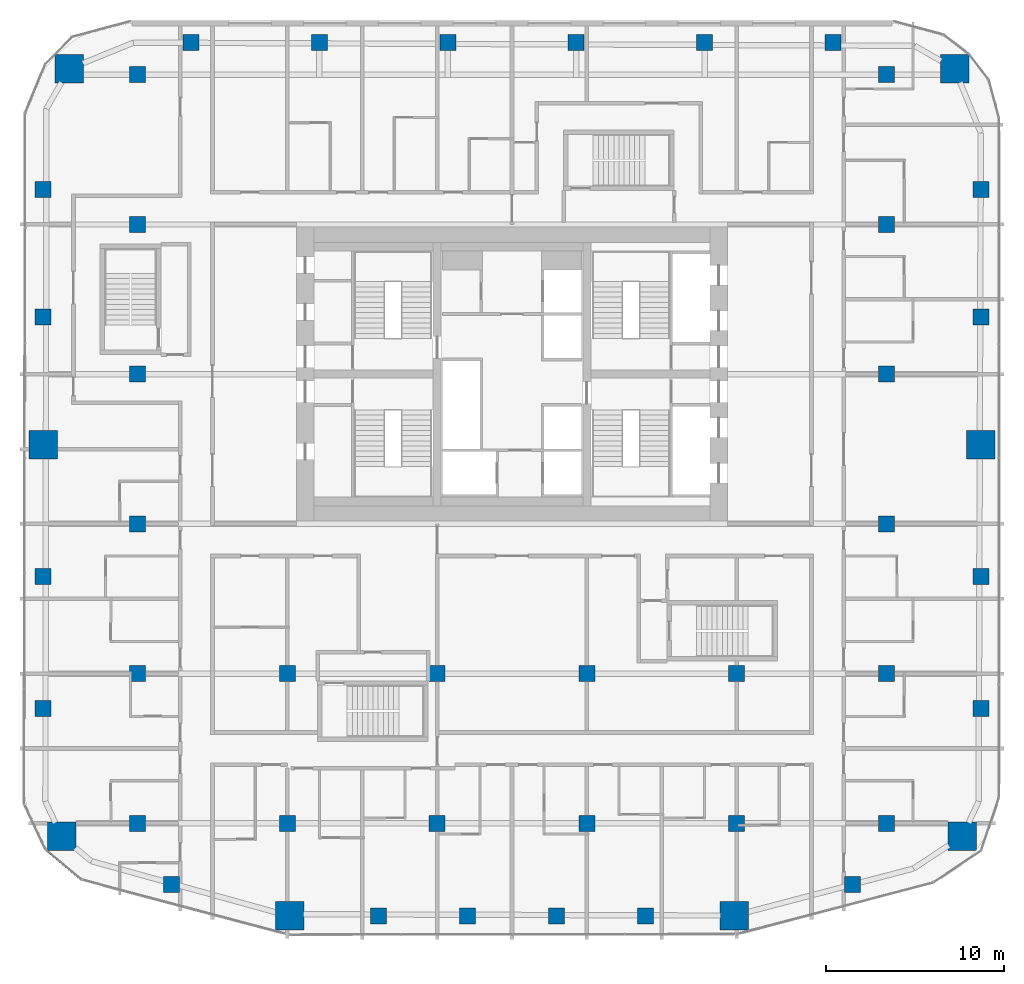
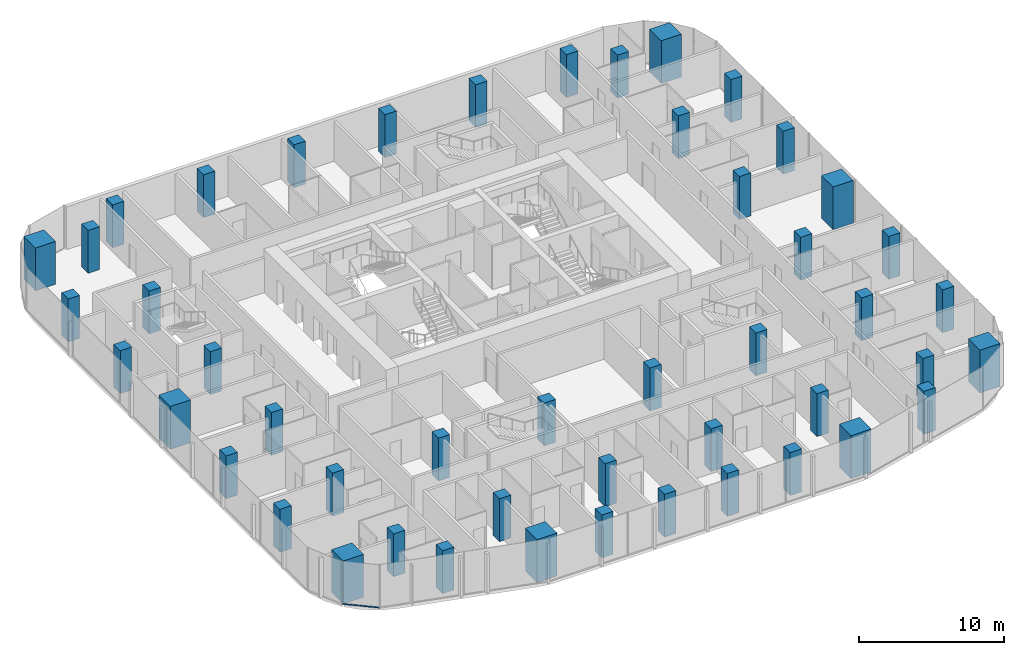
# One storey, part 1 of 23: 48 columns, 1 member, 1 element without a shape of its own.
"""IFC4 building model written with IfcOpenShell, lengths in metres."""

from ifc_helpers import new_model, si_unit, direction, frame, origin, origin_2d, place, context, subcontext, project, spatial, rectangle, extrude, material, layer, layer_set, material_profile, profile_set, type_object, element, aggregate, save


model = new_model("IFC4")

# Units and contexts
model_context = context("Model", 3, precision=1e-05, world=origin(), true_north=direction((0.0, 1.0)))
body_context = subcontext(model_context, "Body", "Model", "MODEL_VIEW")
ifc_project = project(units=[si_unit("LENGTHUNIT", "METRE"), si_unit("AREAUNIT", "SQUARE_METRE"), si_unit("VOLUMEUNIT", "CUBIC_METRE"), si_unit("PLANEANGLEUNIT", "RADIAN"), si_unit("MASSUNIT", "GRAM", prefix="KILO")], contexts=[model_context])

# Site, building, storey
site_placement = place(None, origin())
site = spatial("IfcSite", under=ifc_project, at=site_placement, CompositionType="ELEMENT")
building_placement = place(site_placement, origin())
building = spatial("IfcBuilding", under=site, at=building_placement, Name="Marenta Gate Hotel Tower", CompositionType="ELEMENT")
storey_placement = place(building_placement, frame((0.0, 0.0, 104.89990234375)))
storey = spatial("IfcBuildingStorey", under=building, at=storey_placement, Name="L22", CompositionType="ELEMENT", Elevation=104.89990234375)

# Columns
ifc_material_1 = material(Name="Concrete C70", Category="concrete")
ifc_material_profile_1 = material_profile(ifc_material_1, rectangle(XDim=0.89990234375, YDim=0.89990234375, at=origin_2d()), Name="900 x 900")
ifc_profile_set_1 = profile_set([ifc_material_profile_1], Name="Concrete C70")
column_type_1 = type_object("IfcColumnType", Name="Edge column 900 x 900 C70", PredefinedType="COLUMN", material=ifc_profile_set_1)
for number, where, z_axis, x_axis, name in (
    (1, (-26.300048828125, -10.351806640625, 0.0), (0.0, 0.0, 1.0), (1.0, 0.0, 0.0), "L22-EC-SW-W-1"),
    (2, (-26.300048828125, -2.950927734375, 0.0), (0.0, 0.0, 1.0), (1.0, 0.0, 0.0), "L22-EC-SW-W-2"),
    (3, (-26.300048828125, 11.603271484375, 0.0), (0.0, 0.0, 1.0), (1.0, 0.0, 0.0), "L22-EC-W-NW-1"),
    (4, (-26.300048828125, 18.75634765625, 0.0), (0.0, 0.0, 1.0), (1.0, 0.0, 0.0), "L22-EC-W-NW-2"),
    (5, (-18.0068359375, 27.0, 0.0), (0.0, 0.0, 1.0), (1.0, 0.0, 0.0), "L22-EC-NW-NE-1"),
    (6, (-10.80419921875, 27.0, 0.0), (0.0, 0.0, 1.0), (1.0, 0.0, 0.0), "L22-EC-NW-NE-2"),
    (7, (-3.601318359375, 27.0, 0.0), (0.0, 0.0, 1.0), (1.0, 0.0, 0.0), "L22-EC-NW-NE-3"),
    (8, (3.601318359375, 27.0, 0.0), (0.0, 0.0, 1.0), (1.0, 0.0, 0.0), "L22-EC-NW-NE-4"),
    (9, (10.80419921875, 27.0, 0.0), (0.0, 0.0, 1.0), (1.0, 0.0, 0.0), "L22-EC-NW-NE-5"),
    (10, (18.0068359375, 27.0, 0.0), (0.0, 0.0, 1.0), (1.0, 0.0, 0.0), "L22-EC-NW-NE-6"),
    (11, (26.300048828125, 18.75634765625, 0.0), (0.0, 0.0, 1.0), (1.0, 0.0, 0.0), "L22-EC-NE-E-1"),
    (12, (26.300048828125, 11.603271484375, 0.0), (0.0, 0.0, 1.0), (1.0, 0.0, 0.0), "L22-EC-NE-E-2"),
    (13, (26.300048828125, -2.950927734375, 0.0), (0.0, 0.0, 1.0), (1.0, 0.0, 0.0), "L22-EC-E-SE-1"),
    (14, (26.300048828125, -10.351806640625, 0.0), (0.0, 0.0, 1.0), (1.0, 0.0, 0.0), "L22-EC-E-SE-2"),
    (15, (19.106689453125, -20.239013671875, 0.0), (0.0, 0.0, 1.0), (1.0, 0.0, 0.0), "L22-EC-SE-SKE-1"),
    (16, (7.47998046875, -22.0, 0.0), (0.0, 0.0, 1.0), (1.0, 0.0, 0.0), "L22-EC-SKE-SKW-1"),
    (17, (2.493408203125, -22.0, 0.0), (0.0, 0.0, 1.0), (1.0, 0.0, 0.0), "L22-EC-SKE-SKW-2"),
    (18, (-2.493408203125, -22.0, 0.0), (0.0, 0.0, 1.0), (1.0, 0.0, 0.0), "L22-EC-SKE-SKW-3"),
    (19, (-7.47998046875, -22.0, 0.0), (0.0, 0.0, 1.0), (1.0, 0.0, 0.0), "L22-EC-SKE-SKW-4"),
    (20, (-19.106689453125, -20.239013671875, 0.0), (0.0, 0.0, 1.0), (1.0, 0.0, 0.0), "L22-EC-SKW-SW-1"),
):
    element("IfcColumn", number, at=place(storey_placement, frame(where, z_axis=z_axis, x_axis=x_axis)), inside=storey, type_object=column_type_1, Name=name, PredefinedType="COLUMN", context=body_context, shape_type="SweptSolid", body=[
        extrude(rectangle(XDim=0.89990234375, YDim=0.89990234375, at=origin_2d()), origin(), (0.0, 0.0, 1.0), 3.60009765625),
    ])
ifc_material_2 = material(Name="Concrete C70", Category="concrete")
ifc_material_profile_2 = material_profile(ifc_material_2, rectangle(XDim=0.89990234375, YDim=0.89990234375, at=origin_2d()), Name="900 x 900")
ifc_profile_set_2 = profile_set([ifc_material_profile_2], Name="Concrete C70")
column_type_2 = type_object("IfcColumnType", Name="Interior column 900 x 900 C70", PredefinedType="COLUMN", material=ifc_profile_set_2)
for number, where, z_axis, x_axis, name in (
    (21, (-21.0, -16.800048828125, 0.0), (0.0, 0.0, 1.0), (1.0, 0.0, 0.0), "L22-IC-4D"),
    (22, (-21.0, -8.39990234375, 0.0), (0.0, 0.0, 1.0), (1.0, 0.0, 0.0), "L22-IC-4E"),
    (23, (-21.0, 0.0, 0.0), (0.0, 0.0, 1.0), (1.0, 0.0, 0.0), "L22-IC-4F"),
    (24, (-21.0, 8.39990234375, 0.0), (0.0, 0.0, 1.0), (1.0, 0.0, 0.0), "L22-IC-4G"),
    (25, (-21.0, 16.800048828125, 0.0), (0.0, 0.0, 1.0), (1.0, 0.0, 0.0), "L22-IC-4H"),
    (26, (-21.0, 25.199951171875, 0.0), (0.0, 0.0, 1.0), (1.0, 0.0, 0.0), "L22-IC-4I"),
    (27, (-12.60009765625, -16.800048828125, 0.0), (0.0, 0.0, 1.0), (1.0, 0.0, 0.0), "L22-IC-5D"),
    (28, (-12.60009765625, -8.39990234375, 0.0), (0.0, 0.0, 1.0), (1.0, 0.0, 0.0), "L22-IC-5E"),
    (29, (-4.199951171875, -16.800048828125, 0.0), (0.0, 0.0, 1.0), (1.0, 0.0, 0.0), "L22-IC-6D"),
    (30, (-4.199951171875, -8.39990234375, 0.0), (0.0, 0.0, 1.0), (1.0, 0.0, 0.0), "L22-IC-6E"),
    (31, (4.199951171875, -16.800048828125, 0.0), (0.0, 0.0, 1.0), (1.0, 0.0, 0.0), "L22-IC-7D"),
    (32, (4.199951171875, -8.39990234375, 0.0), (0.0, 0.0, 1.0), (1.0, 0.0, 0.0), "L22-IC-7E"),
    (33, (12.60009765625, -16.800048828125, 0.0), (0.0, 0.0, 1.0), (1.0, 0.0, 0.0), "L22-IC-8D"),
    (34, (12.60009765625, -8.39990234375, 0.0), (0.0, 0.0, 1.0), (1.0, 0.0, 0.0), "L22-IC-8E"),
    (35, (21.0, -16.800048828125, 0.0), (0.0, 0.0, 1.0), (1.0, 0.0, 0.0), "L22-IC-9D"),
    (36, (21.0, -8.39990234375, 0.0), (0.0, 0.0, 1.0), (1.0, 0.0, 0.0), "L22-IC-9E"),
    (37, (21.0, 0.0, 0.0), (0.0, 0.0, 1.0), (1.0, 0.0, 0.0), "L22-IC-9F"),
    (38, (21.0, 8.39990234375, 0.0), (0.0, 0.0, 1.0), (1.0, 0.0, 0.0), "L22-IC-9G"),
    (39, (21.0, 16.800048828125, 0.0), (0.0, 0.0, 1.0), (1.0, 0.0, 0.0), "L22-IC-9H"),
    (40, (21.0, 25.199951171875, 0.0), (0.0, 0.0, 1.0), (1.0, 0.0, 0.0), "L22-IC-9I"),
):
    element("IfcColumn", number, at=place(storey_placement, frame(where, z_axis=z_axis, x_axis=x_axis)), inside=storey, type_object=column_type_2, Name=name, PredefinedType="COLUMN", context=body_context, shape_type="SweptSolid", body=[
        extrude(rectangle(XDim=0.89990234375, YDim=0.89990234375, at=origin_2d()), origin(), (0.0, 0.0, 1.0), 3.60009765625),
    ])
ifc_material_3 = material(Name="Concrete C70", Category="concrete")
ifc_material_profile_3 = material_profile(ifc_material_3, rectangle(XDim=1.60009765625, YDim=1.60009765625, at=origin_2d()), Name="1600 x 1600")
ifc_profile_set_3 = profile_set([ifc_material_profile_3], Name="Concrete C70")
column_type_3 = type_object("IfcColumnType", Name="Mega column 1600 x 1600 C70", PredefinedType="COLUMN", material=ifc_profile_set_3)
for number, where, z_axis, x_axis, name in (
    (41, (-25.262939453125, -17.532958984375, 0.0), (0.0, 0.0, 1.0), (1.0, 0.0, 0.0), "L22-MC-SW"),
    (42, (-12.46630859375, -21.974853515625, 0.0), (0.0, 0.0, 1.0), (1.0, 0.0, 0.0), "L22-MC-SKW"),
    (43, (12.46630859375, -21.974853515625, 0.0), (0.0, 0.0, 1.0), (1.0, 0.0, 0.0), "L22-MC-SKE"),
    (44, (25.262939453125, -17.532958984375, 0.0), (0.0, 0.0, 1.0), (1.0, 0.0, 0.0), "L22-MC-SE"),
    (45, (26.300048828125, 4.449951171875, 0.0), (0.0, 0.0, 1.0), (1.0, 0.0, 0.0), "L22-MC-E"),
    (46, (24.83544921875, 25.535400390625, 0.0), (0.0, 0.0, 1.0), (1.0, 0.0, 0.0), "L22-MC-NE"),
    (47, (-24.83544921875, 25.535400390625, 0.0), (0.0, 0.0, 1.0), (1.0, 0.0, 0.0), "L22-MC-NW"),
    (48, (-26.300048828125, 4.449951171875, 0.0), (0.0, 0.0, 1.0), (1.0, 0.0, 0.0), "L22-MC-W"),
):
    element("IfcColumn", number, at=place(storey_placement, frame(where, z_axis=z_axis, x_axis=x_axis)), inside=storey, type_object=column_type_3, Name=name, PredefinedType="COLUMN", context=body_context, shape_type="SweptSolid", body=[
        extrude(rectangle(XDim=1.60009765625, YDim=1.60009765625, at=origin_2d()), origin(), (0.0, 0.0, 1.0), 3.60009765625),
    ])

# Curtain wall, member
ifc_material_4 = material(Name="Tinted insulated glass in bronze anodised frame", Category="glass")
ifc_layer = layer(ifc_material_4, 0.1201171875)
ifc_layer_set = layer_set([ifc_layer], Name="Tinted insulated glass in bronze anodised frame")
curtain_wall_type = type_object("IfcCurtainWallType", Name="Tower unitised curtain wall CW1", PredefinedType="NOTDEFINED", material=ifc_layer_set)
curtain_wall_placement = place(storey_placement, origin())
curtain_wall = element("IfcCurtainWall", 49, at=curtain_wall_placement, inside=storey, type_object=curtain_wall_type, Name="CW1 run G05", PredefinedType="NOTDEFINED")
ifc_material_5 = material(Name="Bronze anodised aluminium", Category="aluminium")
ifc_material_profile_4 = material_profile(ifc_material_5, rectangle(XDim=0.1201171875, YDim=0.06005859375, at=origin_2d()), Name="Transom CW1 60x120 bronze anodised aluminium")
ifc_profile_set_4 = profile_set([ifc_material_profile_4], Name="Bronze anodised aluminium")
member_type = type_object("IfcMemberType", Name="Transom CW1 60x120 bronze anodised aluminium", PredefinedType="USERDEFINED", material=ifc_profile_set_4)
member_placement = place(storey_placement, frame((-26.12890625, -18.296142578125, 0.030029296875), z_axis=(0.767116735682, -0.641507532175, 0.0), x_axis=(0.641507532175, 0.767116735682, 0.0)))
member = element("IfcMember", 50, at=member_placement, type_object=member_type, Name="CW1 transom 1.1", ObjectType="TRANSOM", PredefinedType="USERDEFINED", context=body_context, shape_type="SweptSolid", body=[
    extrude(rectangle(XDim=0.1201171875, YDim=0.06005859375, at=origin_2d()), origin(), (0.0, 0.0, 1.0), 2.575439453125),
])
aggregate(curtain_wall, [member])

save(model, "model.ifc")
